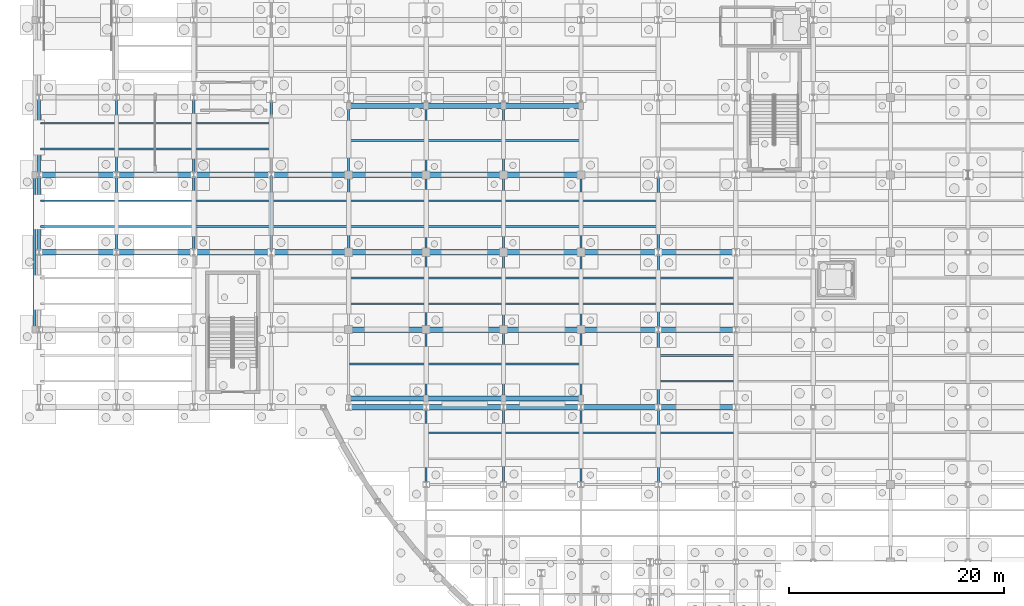
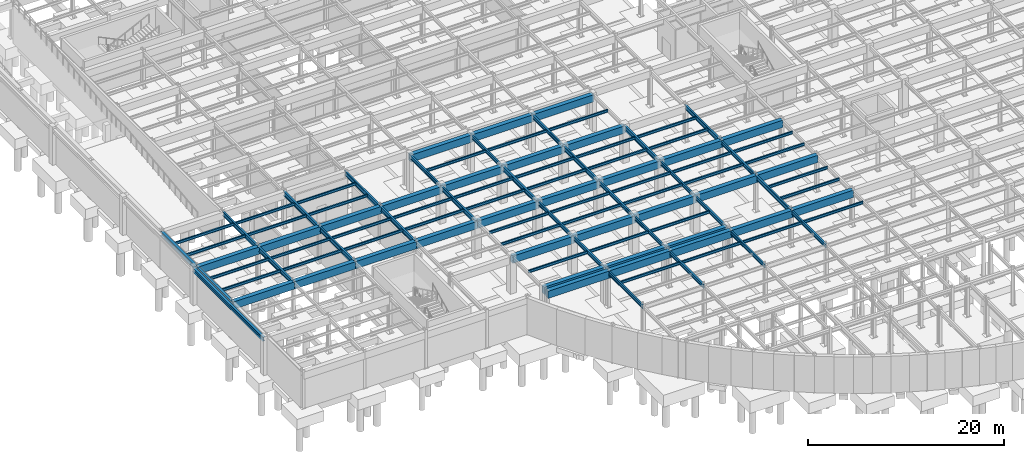
# One storey, part 33 of 64: 105 beams.
"""IFC4 building model written with IfcOpenShell, lengths in metres."""

from ifc_helpers import new_model, si_unit, direction, frame, origin, origin_2d, place, context, subcontext, project, spatial, rectangle, i_section, extrude, material, material_profile, profile_set, type_object, element, save


model = new_model("IFC4")

# Units and contexts
model_context = context("Model", 3, precision=1e-05, world=origin(), true_north=direction((0.0, 1.0)))
body_context = subcontext(model_context, "Body", "Model", "MODEL_VIEW")
ifc_project = project(units=[si_unit("LENGTHUNIT", "METRE"), si_unit("AREAUNIT", "SQUARE_METRE"), si_unit("VOLUMEUNIT", "CUBIC_METRE"), si_unit("PLANEANGLEUNIT", "RADIAN"), si_unit("MASSUNIT", "GRAM", prefix="KILO")], contexts=[model_context])

# Site, building, storey
site_placement = place(None, origin())
site = spatial("IfcSite", under=ifc_project, at=site_placement, CompositionType="ELEMENT")
building_placement = place(site_placement, origin())
building = spatial("IfcBuilding", under=site, at=building_placement, Name="Solvadek Multi-Sports Hall", CompositionType="ELEMENT")
storey_placement = place(building_placement, frame((0.0, 0.0, -4.800048828125)))
storey = spatial("IfcBuildingStorey", under=building, at=storey_placement, Name="B1", CompositionType="ELEMENT", Elevation=-4.800048828125)

# Beams
ifc_material_1 = material(Name="Steel E350 (350 MPa)", Category="steel")
ifc_material_profile_1 = material_profile(ifc_material_1, i_section(OverallWidth=0.18994140625, OverallDepth=0.449951171875, WebThickness=0.009521484375, FlangeThickness=0.0146484375, at=origin_2d()), Name="NPB 450")
ifc_profile_set_1 = profile_set([ifc_material_profile_1], Name="Steel E350 (350 MPa)")
beam_type_1 = type_object("IfcBeamType", Name="STR-BM-NPB450", PredefinedType="BEAM", material=ifc_profile_set_1)
beam_1_placement = place(storey_placement, frame((28.800048828125, 42.0, 4.324951171875), z_axis=(0.0, 1.0, 0.0), x_axis=(-1.0, 0.0, 0.0)))
element("IfcBeam", 1, at=beam_1_placement, inside=storey, type_object=beam_type_1, Name="B1 Girder B-08 #307", PredefinedType="BEAM", context=body_context, shape_type="SweptSolid", body=[
    extrude(i_section(OverallWidth=0.18994140625, OverallDepth=0.449951171875, WebThickness=0.009521484375, FlangeThickness=0.0146484375, at=origin_2d()), origin(), (0.0, 0.0, 1.0), 6.39990234375),
])
beam_2_placement = place(storey_placement, frame((36.0, 13.199951171875, 4.324951171875), z_axis=(0.0, 1.0, 0.0), x_axis=(-1.0, 0.0, 0.0)))
element("IfcBeam", 2, at=beam_2_placement, inside=storey, type_object=beam_type_1, Name="B1 Girder B-08 #317", PredefinedType="BEAM", context=body_context, shape_type="SweptSolid", body=[
    extrude(i_section(OverallWidth=0.18994140625, OverallDepth=0.449951171875, WebThickness=0.009521484375, FlangeThickness=0.0146484375, at=origin_2d()), origin(), (0.0, 0.0, 1.0), 7.199951171875),
])
beam_3_placement = place(storey_placement, frame((36.0, 21.199951171875, 4.324951171875), z_axis=(0.0, 1.0, 0.0), x_axis=(-1.0, 0.0, 0.0)))
element("IfcBeam", 3, at=beam_3_placement, inside=storey, type_object=beam_type_1, Name="B1 Girder B-08 #318", PredefinedType="BEAM", context=body_context, shape_type="SweptSolid", body=[
    extrude(i_section(OverallWidth=0.18994140625, OverallDepth=0.449951171875, WebThickness=0.009521484375, FlangeThickness=0.0146484375, at=origin_2d()), origin(), (0.0, 0.0, 1.0), 6.400146484375),
])
beam_4_placement = place(storey_placement, frame((36.0, 27.60009765625, 4.324951171875), z_axis=(0.0, 1.0, 0.0), x_axis=(-1.0, 0.0, 0.0)))
element("IfcBeam", 4, at=beam_4_placement, inside=storey, type_object=beam_type_1, Name="B1 Girder B-08 #319", PredefinedType="BEAM", context=body_context, shape_type="SweptSolid", body=[
    extrude(i_section(OverallWidth=0.18994140625, OverallDepth=0.449951171875, WebThickness=0.009521484375, FlangeThickness=0.0146484375, at=origin_2d()), origin(), (0.0, 0.0, 1.0), 7.199951171875),
])
beam_5_placement = place(storey_placement, frame((36.0, 42.0, 4.324951171875), z_axis=(0.0, 1.0, 0.0), x_axis=(-1.0, 0.0, 0.0)))
element("IfcBeam", 5, at=beam_5_placement, inside=storey, type_object=beam_type_1, Name="B1 Girder B-08 #321", PredefinedType="BEAM", context=body_context, shape_type="SweptSolid", body=[
    extrude(i_section(OverallWidth=0.18994140625, OverallDepth=0.449951171875, WebThickness=0.009521484375, FlangeThickness=0.0146484375, at=origin_2d()), origin(), (0.0, 0.0, 1.0), 6.39990234375),
])
beam_6_placement = place(storey_placement, frame((43.199951171875, 13.199951171875, 4.324951171875), z_axis=(0.0, 1.0, 0.0), x_axis=(-1.0, 0.0, 0.0)))
element("IfcBeam", 6, at=beam_6_placement, inside=storey, type_object=beam_type_1, Name="B1 Girder B-08 #333", PredefinedType="BEAM", context=body_context, shape_type="SweptSolid", body=[
    extrude(i_section(OverallWidth=0.18994140625, OverallDepth=0.449951171875, WebThickness=0.009521484375, FlangeThickness=0.0146484375, at=origin_2d()), origin(), (0.0, 0.0, 1.0), 7.199951171875),
])
beam_7_placement = place(storey_placement, frame((43.199951171875, 21.199951171875, 4.324951171875), z_axis=(0.0, 1.0, 0.0), x_axis=(-1.0, 0.0, 0.0)))
element("IfcBeam", 7, at=beam_7_placement, inside=storey, type_object=beam_type_1, Name="B1 Girder B-08 #334", PredefinedType="BEAM", context=body_context, shape_type="SweptSolid", body=[
    extrude(i_section(OverallWidth=0.18994140625, OverallDepth=0.449951171875, WebThickness=0.009521484375, FlangeThickness=0.0146484375, at=origin_2d()), origin(), (0.0, 0.0, 1.0), 6.400146484375),
])
beam_8_placement = place(storey_placement, frame((43.199951171875, 27.60009765625, 4.324951171875), z_axis=(0.0, 1.0, 0.0), x_axis=(-1.0, 0.0, 0.0)))
element("IfcBeam", 8, at=beam_8_placement, inside=storey, type_object=beam_type_1, Name="B1 Girder B-08 #335", PredefinedType="BEAM", context=body_context, shape_type="SweptSolid", body=[
    extrude(i_section(OverallWidth=0.18994140625, OverallDepth=0.449951171875, WebThickness=0.009521484375, FlangeThickness=0.0146484375, at=origin_2d()), origin(), (0.0, 0.0, 1.0), 7.199951171875),
])
beam_9_placement = place(storey_placement, frame((43.199951171875, 42.0, 4.324951171875), z_axis=(0.0, 1.0, 0.0), x_axis=(-1.0, 0.0, 0.0)))
element("IfcBeam", 9, at=beam_9_placement, inside=storey, type_object=beam_type_1, Name="B1 Girder B-08 #337", PredefinedType="BEAM", context=body_context, shape_type="SweptSolid", body=[
    extrude(i_section(OverallWidth=0.18994140625, OverallDepth=0.449951171875, WebThickness=0.009521484375, FlangeThickness=0.0146484375, at=origin_2d()), origin(), (0.0, 0.0, 1.0), 6.39990234375),
])
beam_10_placement = place(storey_placement, frame((50.39990234375, 13.199951171875, 4.324951171875), z_axis=(0.0, 1.0, 0.0), x_axis=(-1.0, 0.0, 0.0)))
element("IfcBeam", 10, at=beam_10_placement, inside=storey, type_object=beam_type_1, Name="B1 Girder B-08 #349", PredefinedType="BEAM", context=body_context, shape_type="SweptSolid", body=[
    extrude(i_section(OverallWidth=0.18994140625, OverallDepth=0.449951171875, WebThickness=0.009521484375, FlangeThickness=0.0146484375, at=origin_2d()), origin(), (0.0, 0.0, 1.0), 7.199951171875),
])
beam_11_placement = place(storey_placement, frame((50.39990234375, 21.199951171875, 4.324951171875), z_axis=(0.0, 1.0, 0.0), x_axis=(-1.0, 0.0, 0.0)))
element("IfcBeam", 11, at=beam_11_placement, inside=storey, type_object=beam_type_1, Name="B1 Girder B-08 #350", PredefinedType="BEAM", context=body_context, shape_type="SweptSolid", body=[
    extrude(i_section(OverallWidth=0.18994140625, OverallDepth=0.449951171875, WebThickness=0.009521484375, FlangeThickness=0.0146484375, at=origin_2d()), origin(), (0.0, 0.0, 1.0), 6.400146484375),
])
for number, where, z_axis, x_axis, name in (
    (12, (50.39990234375, 27.60009765625, 4.324951171875), (0.0, 1.0, 0.0), (-1.0, 0.0, 0.0), "B1 Girder B-08 #351"),
    (13, (57.60009765625, 13.199951171875, 4.324951171875), (0.0, 1.0, 0.0), (-1.0, 0.0, 0.0), "B1 Girder B-08 #368"),
    (14, (57.60009765625, 27.60009765625, 4.324951171875), (0.0, 1.0, 0.0), (-1.0, 0.0, 0.0), "B1 Girder B-08 #370"),
):
    element("IfcBeam", number, at=place(storey_placement, frame(where, z_axis=z_axis, x_axis=x_axis)), inside=storey, type_object=beam_type_1, Name=name, PredefinedType="BEAM", context=body_context, shape_type="SweptSolid", body=[
        extrude(i_section(OverallWidth=0.18994140625, OverallDepth=0.449951171875, WebThickness=0.009521484375, FlangeThickness=0.0146484375, at=origin_2d()), origin(), (0.0, 0.0, 1.0), 7.199951171875),
    ])
ifc_material_profile_2 = material_profile(ifc_material_1, i_section(OverallWidth=0.2099609375, OverallDepth=0.550048828125, WebThickness=0.010986328125, FlangeThickness=0.01708984375, at=origin_2d()), Name="NPB 550")
ifc_profile_set_2 = profile_set([ifc_material_profile_2], Name="Steel E350 (350 MPa)")
beam_type_2 = type_object("IfcBeamType", Name="STR-BM-NPB550", PredefinedType="BEAM", material=ifc_profile_set_2)
for number, where, z_axis, x_axis, name in (
    (15, (7.199951171875, 34.800048828125, 4.275146484375), (0.0, 1.0, 0.0), (-1.0, 0.0, 0.0), "B1 Girder B-05 #271"),
    (16, (7.199951171875, 42.0, 4.275146484375), (0.0, 1.0, 0.0), (-1.0, 0.0, 0.0), "B1 Girder B-05 #272"),
    (17, (14.39990234375, 34.800048828125, 4.275146484375), (0.0, 1.0, 0.0), (-1.0, 0.0, 0.0), "B1 Girder B-05 #283"),
    (18, (14.39990234375, 42.0, 4.275146484375), (0.0, 1.0, 0.0), (-1.0, 0.0, 0.0), "B1 Girder B-05 #284"),
    (19, (21.60009765625, 34.800048828125, 4.275146484375), (0.0, 1.0, 0.0), (-1.0, 0.0, 0.0), "B1 Girder B-05 #294"),
    (20, (21.60009765625, 42.0, 4.275146484375), (0.0, 1.0, 0.0), (-1.0, 0.0, 0.0), "B1 Girder B-05 #295"),
    (21, (28.800048828125, 34.800048828125, 4.275146484375), (0.0, 1.0, 0.0), (-1.0, 0.0, 0.0), "B1 Girder B-05 #306"),
    (22, (36.0, 34.800048828125, 4.275146484375), (0.0, 1.0, 0.0), (-1.0, 0.0, 0.0), "B1 Girder B-05 #320"),
    (23, (43.199951171875, 34.800048828125, 4.275146484375), (0.0, 1.0, 0.0), (-1.0, 0.0, 0.0), "B1 Girder B-05 #336"),
    (24, (50.39990234375, 34.800048828125, 4.275146484375), (0.0, 1.0, 0.0), (-1.0, 0.0, 0.0), "B1 Girder B-05 #352"),
):
    element("IfcBeam", number, at=place(storey_placement, frame(where, z_axis=z_axis, x_axis=x_axis)), inside=storey, type_object=beam_type_2, Name=name, PredefinedType="BEAM", context=body_context, shape_type="SweptSolid", body=[
        extrude(i_section(OverallWidth=0.2099609375, OverallDepth=0.550048828125, WebThickness=0.010986328125, FlangeThickness=0.01708984375, at=origin_2d()), origin(), (0.0, 0.0, 1.0), 7.199951171875),
    ])
beam_12_placement = place(storey_placement, frame((57.60009765625, 20.39990234375, 4.275146484375), z_axis=(0.0, 1.0, 0.0), x_axis=(-1.0, 0.0, 0.0)))
element("IfcBeam", 25, at=beam_12_placement, inside=storey, type_object=beam_type_2, Name="B1 Girder B-05 #369", PredefinedType="BEAM", context=body_context, shape_type="SweptSolid", body=[
    extrude(i_section(OverallWidth=0.2099609375, OverallDepth=0.550048828125, WebThickness=0.010986328125, FlangeThickness=0.01708984375, at=origin_2d()), origin(), (0.0, 0.0, 1.0), 7.2001953125),
])
beam_13_placement = place(storey_placement, frame((57.60009765625, 34.800048828125, 4.275146484375), z_axis=(0.0, 1.0, 0.0), x_axis=(-1.0, 0.0, 0.0)))
element("IfcBeam", 26, at=beam_13_placement, inside=storey, type_object=beam_type_2, Name="B1 Girder B-05 #371", PredefinedType="BEAM", context=body_context, shape_type="SweptSolid", body=[
    extrude(i_section(OverallWidth=0.2099609375, OverallDepth=0.550048828125, WebThickness=0.010986328125, FlangeThickness=0.01708984375, at=origin_2d()), origin(), (0.0, 0.0, 1.0), 7.199951171875),
])
ifc_material_profile_3 = material_profile(ifc_material_1, i_section(OverallWidth=0.159912109375, OverallDepth=0.330078125, WebThickness=0.007568359375, FlangeThickness=0.011474609375, at=origin_2d()), Name="NPB 330")
ifc_profile_set_3 = profile_set([ifc_material_profile_3], Name="Steel E350 (350 MPa)")
beam_type_3 = type_object("IfcBeamType", Name="STR-JST-NPB330", PredefinedType="JOIST", material=ifc_profile_set_3)
for number, where, z_axis, x_axis, name in (
    (27, (36.094970703125, 18.0, 4.385009765625), (1.0, 0.0, 0.0), (0.0, 1.0, 0.0), "B1 Composite Joist J-02 #34"),
    (28, (43.294921875, 18.0, 4.385009765625), (1.0, 0.0, 0.0), (0.0, 1.0, 0.0), "B1 Composite Joist J-02 #36"),
):
    element("IfcBeam", number, at=place(storey_placement, frame(where, z_axis=z_axis, x_axis=x_axis)), inside=storey, type_object=beam_type_3, Name=name, PredefinedType="JOIST", context=body_context, shape_type="SweptSolid", body=[
        extrude(i_section(OverallWidth=0.159912109375, OverallDepth=0.330078125, WebThickness=0.007568359375, FlangeThickness=0.011474609375, at=origin_2d()), origin(), (0.0, 0.0, 1.0), 7.010009765625),
    ])
beam_14_placement = place(storey_placement, frame((50.4951171875, 18.0, 4.385009765625), z_axis=(1.0, 0.0, 0.0), x_axis=(0.0, 1.0, 0.0)))
element("IfcBeam", 29, at=beam_14_placement, inside=storey, type_object=beam_type_3, Name="B1 Composite Joist J-02 #38", PredefinedType="JOIST", context=body_context, shape_type="SweptSolid", body=[
    extrude(i_section(OverallWidth=0.159912109375, OverallDepth=0.330078125, WebThickness=0.007568359375, FlangeThickness=0.011474609375, at=origin_2d()), origin(), (0.0, 0.0, 1.0), 7.009765625),
])
beam_15_placement = place(storey_placement, frame((57.695068359375, 18.0, 4.385009765625), z_axis=(1.0, 0.0, 0.0), x_axis=(0.0, 1.0, 0.0)))
element("IfcBeam", 30, at=beam_15_placement, inside=storey, type_object=beam_type_3, Name="B1 Composite Joist J-02 #40", PredefinedType="JOIST", context=body_context, shape_type="SweptSolid", body=[
    extrude(i_section(OverallWidth=0.159912109375, OverallDepth=0.330078125, WebThickness=0.007568359375, FlangeThickness=0.011474609375, at=origin_2d()), origin(), (0.0, 0.0, 1.0), 7.010009765625),
])
for number, where, z_axis, x_axis, name in (
    (31, (57.705078125, 22.800048828125, 4.385009765625), (1.0, 0.0, 0.0), (0.0, 1.0, 0.0), "B1 Composite Joist J-02 #65"),
    (32, (57.705078125, 25.199951171875, 4.385009765625), (1.0, 0.0, 0.0), (0.0, 1.0, 0.0), "B1 Composite Joist J-02 #66"),
):
    element("IfcBeam", number, at=place(storey_placement, frame(where, z_axis=z_axis, x_axis=x_axis)), inside=storey, type_object=beam_type_3, Name=name, PredefinedType="JOIST", context=body_context, shape_type="SweptSolid", body=[
        extrude(i_section(OverallWidth=0.159912109375, OverallDepth=0.330078125, WebThickness=0.007568359375, FlangeThickness=0.011474609375, at=origin_2d()), origin(), (0.0, 0.0, 1.0), 6.989990234375),
    ])
for number, where, z_axis, x_axis, name in (
    (33, (28.89501953125, 24.39990234375, 4.385009765625), (1.0, 0.0, 0.0), (0.0, 1.0, 0.0), "B1 Composite Joist J-02 #85"),
    (34, (36.094970703125, 24.39990234375, 4.385009765625), (1.0, 0.0, 0.0), (0.0, 1.0, 0.0), "B1 Composite Joist J-02 #86"),
    (35, (43.294921875, 24.39990234375, 4.385009765625), (1.0, 0.0, 0.0), (0.0, 1.0, 0.0), "B1 Composite Joist J-02 #87"),
    (36, (28.89501953125, 30.0, 4.385009765625), (1.0, 0.0, 0.0), (0.0, 1.0, 0.0), "B1 Composite Joist J-02 #94"),
    (37, (28.89501953125, 32.39990234375, 4.385009765625), (1.0, 0.0, 0.0), (0.0, 1.0, 0.0), "B1 Composite Joist J-02 #95"),
    (38, (36.094970703125, 30.0, 4.385009765625), (1.0, 0.0, 0.0), (0.0, 1.0, 0.0), "B1 Composite Joist J-02 #96"),
    (39, (36.094970703125, 32.39990234375, 4.385009765625), (1.0, 0.0, 0.0), (0.0, 1.0, 0.0), "B1 Composite Joist J-02 #97"),
    (40, (43.294921875, 30.0, 4.385009765625), (1.0, 0.0, 0.0), (0.0, 1.0, 0.0), "B1 Composite Joist J-02 #98"),
    (41, (43.294921875, 32.39990234375, 4.385009765625), (1.0, 0.0, 0.0), (0.0, 1.0, 0.0), "B1 Composite Joist J-02 #99"),
):
    element("IfcBeam", number, at=place(storey_placement, frame(where, z_axis=z_axis, x_axis=x_axis)), inside=storey, type_object=beam_type_3, Name=name, PredefinedType="JOIST", context=body_context, shape_type="SweptSolid", body=[
        extrude(i_section(OverallWidth=0.159912109375, OverallDepth=0.330078125, WebThickness=0.007568359375, FlangeThickness=0.011474609375, at=origin_2d()), origin(), (0.0, 0.0, 1.0), 7.010009765625),
    ])
for number, where, z_axis, x_axis, name in (
    (42, (50.4951171875, 30.0, 4.385009765625), (1.0, 0.0, 0.0), (0.0, 1.0, 0.0), "B1 Composite Joist J-02 #100"),
    (43, (50.4951171875, 32.39990234375, 4.385009765625), (1.0, 0.0, 0.0), (0.0, 1.0, 0.0), "B1 Composite Joist J-02 #101"),
):
    element("IfcBeam", number, at=place(storey_placement, frame(where, z_axis=z_axis, x_axis=x_axis)), inside=storey, type_object=beam_type_3, Name=name, PredefinedType="JOIST", context=body_context, shape_type="SweptSolid", body=[
        extrude(i_section(OverallWidth=0.159912109375, OverallDepth=0.330078125, WebThickness=0.007568359375, FlangeThickness=0.011474609375, at=origin_2d()), origin(), (0.0, 0.0, 1.0), 7.009765625),
    ])
for number, where, z_axis, x_axis, name in (
    (44, (57.695068359375, 30.0, 4.385009765625), (1.0, 0.0, 0.0), (0.0, 1.0, 0.0), "B1 Composite Joist J-02 #102"),
    (45, (57.695068359375, 32.39990234375, 4.385009765625), (1.0, 0.0, 0.0), (0.0, 1.0, 0.0), "B1 Composite Joist J-02 #103"),
):
    element("IfcBeam", number, at=place(storey_placement, frame(where, z_axis=z_axis, x_axis=x_axis)), inside=storey, type_object=beam_type_3, Name=name, PredefinedType="JOIST", context=body_context, shape_type="SweptSolid", body=[
        extrude(i_section(OverallWidth=0.159912109375, OverallDepth=0.330078125, WebThickness=0.007568359375, FlangeThickness=0.011474609375, at=origin_2d()), origin(), (0.0, 0.0, 1.0), 7.010009765625),
    ])
for number, where, z_axis, x_axis, name in (
    (46, (0.14990234375, 37.199951171875, 4.385009765625), (1.0, 0.0, 0.0), (0.0, 1.0, 0.0), "B1 Composite Joist J-02 #121"),
    (47, (0.14990234375, 39.60009765625, 4.385009765625), (1.0, 0.0, 0.0), (0.0, 1.0, 0.0), "B1 Composite Joist J-02 #122"),
):
    element("IfcBeam", number, at=place(storey_placement, frame(where, z_axis=z_axis, x_axis=x_axis)), inside=storey, type_object=beam_type_3, Name=name, PredefinedType="JOIST", context=body_context, shape_type="SweptSolid", body=[
        extrude(i_section(OverallWidth=0.159912109375, OverallDepth=0.330078125, WebThickness=0.007568359375, FlangeThickness=0.011474609375, at=origin_2d()), origin(), (0.0, 0.0, 1.0), 6.945068359375),
    ])
for number, where, z_axis, x_axis, name in (
    (48, (7.304931640625, 37.199951171875, 4.385009765625), (1.0, 0.0, 0.0), (0.0, 1.0, 0.0), "B1 Composite Joist J-02 #123"),
    (49, (7.304931640625, 39.60009765625, 4.385009765625), (1.0, 0.0, 0.0), (0.0, 1.0, 0.0), "B1 Composite Joist J-02 #124"),
):
    element("IfcBeam", number, at=place(storey_placement, frame(where, z_axis=z_axis, x_axis=x_axis)), inside=storey, type_object=beam_type_3, Name=name, PredefinedType="JOIST", context=body_context, shape_type="SweptSolid", body=[
        extrude(i_section(OverallWidth=0.159912109375, OverallDepth=0.330078125, WebThickness=0.007568359375, FlangeThickness=0.011474609375, at=origin_2d()), origin(), (0.0, 0.0, 1.0), 6.989990234375),
    ])
for number, where, z_axis, x_axis, name in (
    (50, (14.5048828125, 37.199951171875, 4.385009765625), (1.0, 0.0, 0.0), (0.0, 1.0, 0.0), "B1 Composite Joist J-02 #125"),
    (51, (14.5048828125, 39.60009765625, 4.385009765625), (1.0, 0.0, 0.0), (0.0, 1.0, 0.0), "B1 Composite Joist J-02 #126"),
):
    element("IfcBeam", number, at=place(storey_placement, frame(where, z_axis=z_axis, x_axis=x_axis)), inside=storey, type_object=beam_type_3, Name=name, PredefinedType="JOIST", context=body_context, shape_type="SweptSolid", body=[
        extrude(i_section(OverallWidth=0.159912109375, OverallDepth=0.330078125, WebThickness=0.007568359375, FlangeThickness=0.011474609375, at=origin_2d()), origin(), (0.0, 0.0, 1.0), 6.990234375),
    ])
for number, where, z_axis, x_axis, name in (
    (52, (21.705078125, 37.199951171875, 4.385009765625), (1.0, 0.0, 0.0), (0.0, 1.0, 0.0), "B1 Composite Joist J-02 #127"),
    (53, (21.705078125, 39.60009765625, 4.385009765625), (1.0, 0.0, 0.0), (0.0, 1.0, 0.0), "B1 Composite Joist J-02 #128"),
    (54, (28.905029296875, 37.199951171875, 4.385009765625), (1.0, 0.0, 0.0), (0.0, 1.0, 0.0), "B1 Composite Joist J-02 #129"),
    (55, (28.905029296875, 39.60009765625, 4.385009765625), (1.0, 0.0, 0.0), (0.0, 1.0, 0.0), "B1 Composite Joist J-02 #130"),
    (56, (36.10498046875, 37.199951171875, 4.385009765625), (1.0, 0.0, 0.0), (0.0, 1.0, 0.0), "B1 Composite Joist J-02 #131"),
    (57, (36.10498046875, 39.60009765625, 4.385009765625), (1.0, 0.0, 0.0), (0.0, 1.0, 0.0), "B1 Composite Joist J-02 #132"),
    (58, (43.304931640625, 37.199951171875, 4.385009765625), (1.0, 0.0, 0.0), (0.0, 1.0, 0.0), "B1 Composite Joist J-02 #133"),
    (59, (43.304931640625, 39.60009765625, 4.385009765625), (1.0, 0.0, 0.0), (0.0, 1.0, 0.0), "B1 Composite Joist J-02 #134"),
):
    element("IfcBeam", number, at=place(storey_placement, frame(where, z_axis=z_axis, x_axis=x_axis)), inside=storey, type_object=beam_type_3, Name=name, PredefinedType="JOIST", context=body_context, shape_type="SweptSolid", body=[
        extrude(i_section(OverallWidth=0.159912109375, OverallDepth=0.330078125, WebThickness=0.007568359375, FlangeThickness=0.011474609375, at=origin_2d()), origin(), (0.0, 0.0, 1.0), 6.989990234375),
    ])
for number, where, z_axis, x_axis, name in (
    (60, (50.5048828125, 37.199951171875, 4.385009765625), (1.0, 0.0, 0.0), (0.0, 1.0, 0.0), "B1 Composite Joist J-02 #135"),
    (61, (50.5048828125, 39.60009765625, 4.385009765625), (1.0, 0.0, 0.0), (0.0, 1.0, 0.0), "B1 Composite Joist J-02 #136"),
):
    element("IfcBeam", number, at=place(storey_placement, frame(where, z_axis=z_axis, x_axis=x_axis)), inside=storey, type_object=beam_type_3, Name=name, PredefinedType="JOIST", context=body_context, shape_type="SweptSolid", body=[
        extrude(i_section(OverallWidth=0.159912109375, OverallDepth=0.330078125, WebThickness=0.007568359375, FlangeThickness=0.011474609375, at=origin_2d()), origin(), (0.0, 0.0, 1.0), 6.990234375),
    ])
for number, where, z_axis, x_axis, name in (
    (62, (0.14990234375, 44.39990234375, 4.385009765625), (1.0, 0.0, 0.0), (0.0, 1.0, 0.0), "B1 Composite Joist J-02 #158"),
    (63, (0.14990234375, 46.800048828125, 4.385009765625), (1.0, 0.0, 0.0), (0.0, 1.0, 0.0), "B1 Composite Joist J-02 #159"),
):
    element("IfcBeam", number, at=place(storey_placement, frame(where, z_axis=z_axis, x_axis=x_axis)), inside=storey, type_object=beam_type_3, Name=name, PredefinedType="JOIST", context=body_context, shape_type="SweptSolid", body=[
        extrude(i_section(OverallWidth=0.159912109375, OverallDepth=0.330078125, WebThickness=0.007568359375, FlangeThickness=0.011474609375, at=origin_2d()), origin(), (0.0, 0.0, 1.0), 6.945068359375),
    ])
for number, where, z_axis, x_axis, name in (
    (64, (7.304931640625, 44.39990234375, 4.385009765625), (1.0, 0.0, 0.0), (0.0, 1.0, 0.0), "B1 Composite Joist J-02 #160"),
    (65, (7.304931640625, 46.800048828125, 4.385009765625), (1.0, 0.0, 0.0), (0.0, 1.0, 0.0), "B1 Composite Joist J-02 #161"),
):
    element("IfcBeam", number, at=place(storey_placement, frame(where, z_axis=z_axis, x_axis=x_axis)), inside=storey, type_object=beam_type_3, Name=name, PredefinedType="JOIST", context=body_context, shape_type="SweptSolid", body=[
        extrude(i_section(OverallWidth=0.159912109375, OverallDepth=0.330078125, WebThickness=0.007568359375, FlangeThickness=0.011474609375, at=origin_2d()), origin(), (0.0, 0.0, 1.0), 6.989990234375),
    ])
for number, where, z_axis, x_axis, name in (
    (66, (14.5048828125, 44.39990234375, 4.385009765625), (1.0, 0.0, 0.0), (0.0, 1.0, 0.0), "B1 Composite Joist J-02 #162"),
    (67, (14.5048828125, 46.800048828125, 4.385009765625), (1.0, 0.0, 0.0), (0.0, 1.0, 0.0), "B1 Composite Joist J-02 #163"),
):
    element("IfcBeam", number, at=place(storey_placement, frame(where, z_axis=z_axis, x_axis=x_axis)), inside=storey, type_object=beam_type_3, Name=name, PredefinedType="JOIST", context=body_context, shape_type="SweptSolid", body=[
        extrude(i_section(OverallWidth=0.159912109375, OverallDepth=0.330078125, WebThickness=0.007568359375, FlangeThickness=0.011474609375, at=origin_2d()), origin(), (0.0, 0.0, 1.0), 6.990234375),
    ])
for number, where, z_axis, x_axis, name in (
    (68, (28.89501953125, 45.199951171875, 4.385009765625), (1.0, 0.0, 0.0), (0.0, 1.0, 0.0), "B1 Composite Joist J-02 #164"),
    (69, (36.094970703125, 45.199951171875, 4.385009765625), (1.0, 0.0, 0.0), (0.0, 1.0, 0.0), "B1 Composite Joist J-02 #165"),
    (70, (43.294921875, 45.199951171875, 4.385009765625), (1.0, 0.0, 0.0), (0.0, 1.0, 0.0), "B1 Composite Joist J-02 #166"),
):
    element("IfcBeam", number, at=place(storey_placement, frame(where, z_axis=z_axis, x_axis=x_axis)), inside=storey, type_object=beam_type_3, Name=name, PredefinedType="JOIST", context=body_context, shape_type="SweptSolid", body=[
        extrude(i_section(OverallWidth=0.159912109375, OverallDepth=0.330078125, WebThickness=0.007568359375, FlangeThickness=0.011474609375, at=origin_2d()), origin(), (0.0, 0.0, 1.0), 7.010009765625),
    ])
ifc_material_profile_4 = material_profile(ifc_material_1, i_section(OverallWidth=0.300048828125, OverallDepth=0.5, WebThickness=0.014404296875, FlangeThickness=0.028076171875, at=origin_2d()), Name="WPB 500")
ifc_profile_set_4 = profile_set([ifc_material_profile_4], Name="Steel E350 (350 MPa)")
beam_type_4 = type_object("IfcBeamType", Name="STR-SPN-WPB500", PredefinedType="SPANDREL", material=ifc_profile_set_4)
beam_16_placement = place(storey_placement, frame((-0.419921875, 27.60009765625, 4.300048828125), z_axis=(0.0, 1.0, 0.0), x_axis=(-1.0, 0.0, 0.0)))
element("IfcBeam", 71, at=beam_16_placement, inside=storey, type_object=beam_type_4, Name="B1 Girder SP-01 #253", PredefinedType="SPANDREL", context=body_context, shape_type="SweptSolid", body=[
    extrude(i_section(OverallWidth=0.300048828125, OverallDepth=0.5, WebThickness=0.014404296875, FlangeThickness=0.028076171875, at=origin_2d()), origin(), (0.0, 0.0, 1.0), 14.39990234375),
])
for number, where, z_axis, x_axis, name in (
    (72, (0.0, 34.800048828125, 4.300048828125), (0.0, 1.0, 0.0), (-1.0, 0.0, 0.0), "B1 Girder SP-01 #259"),
    (73, (0.0, 42.0, 4.300048828125), (0.0, 1.0, 0.0), (-1.0, 0.0, 0.0), "B1 Girder SP-01 #260"),
):
    element("IfcBeam", number, at=place(storey_placement, frame(where, z_axis=z_axis, x_axis=x_axis)), inside=storey, type_object=beam_type_4, Name=name, PredefinedType="SPANDREL", context=body_context, shape_type="SweptSolid", body=[
        extrude(i_section(OverallWidth=0.300048828125, OverallDepth=0.5, WebThickness=0.014404296875, FlangeThickness=0.028076171875, at=origin_2d()), origin(), (0.0, 0.0, 1.0), 7.199951171875),
    ])
ifc_material_2 = material(Name="Concrete M35", Category="concrete")
ifc_material_profile_5 = material_profile(ifc_material_2, rectangle(XDim=0.5, YDim=0.89990234375, at=origin_2d()), Name="RC T-BEAM 500x900")
ifc_profile_set_5 = profile_set([ifc_material_profile_5], Name="Concrete M35")
beam_type_5 = type_object("IfcBeamType", Name="STR-TBM-500X900", PredefinedType="T_BEAM", material=ifc_profile_set_5)
for number, where, z_axis, x_axis, name in (
    (74, (28.800048828125, 20.39990234375, 4.10009765625), (1.0, 0.0, 0.0), (0.0, 1.0, 0.0), "B1 Girder TB-02 #42"),
    (75, (36.0, 20.39990234375, 4.10009765625), (1.0, 0.0, 0.0), (0.0, 1.0, 0.0), "B1 Girder TB-02 #43"),
    (76, (43.199951171875, 20.39990234375, 4.10009765625), (1.0, 0.0, 0.0), (0.0, 1.0, 0.0), "B1 Girder TB-02 #44"),
):
    element("IfcBeam", number, at=place(storey_placement, frame(where, z_axis=z_axis, x_axis=x_axis)), inside=storey, type_object=beam_type_5, Name=name, PredefinedType="T_BEAM", context=body_context, shape_type="SweptSolid", body=[
        extrude(rectangle(XDim=0.5, YDim=0.89990234375, at=origin_2d()), origin(), (0.0, 0.0, 1.0), 7.199951171875),
    ])
beam_17_placement = place(storey_placement, frame((50.39990234375, 20.39990234375, 4.10009765625), z_axis=(1.0, 0.0, 0.0), x_axis=(0.0, 1.0, 0.0)))
element("IfcBeam", 77, at=beam_17_placement, inside=storey, type_object=beam_type_5, Name="B1 Girder TB-02 #45", PredefinedType="T_BEAM", context=body_context, shape_type="SweptSolid", body=[
    extrude(rectangle(XDim=0.5, YDim=0.89990234375, at=origin_2d()), origin(), (0.0, 0.0, 1.0), 7.2001953125),
])
for number, where, z_axis, x_axis, name in (
    (78, (57.60009765625, 20.39990234375, 4.10009765625), (1.0, 0.0, 0.0), (0.0, 1.0, 0.0), "B1 Girder TB-02 #46"),
    (79, (28.800048828125, 21.199951171875, 4.10009765625), (1.0, 0.0, 0.0), (0.0, 1.0, 0.0), "B1 Girder TB-02 #57"),
    (80, (36.0, 21.199951171875, 4.10009765625), (1.0, 0.0, 0.0), (0.0, 1.0, 0.0), "B1 Girder TB-02 #58"),
    (81, (43.199951171875, 21.199951171875, 4.10009765625), (1.0, 0.0, 0.0), (0.0, 1.0, 0.0), "B1 Girder TB-02 #59"),
    (82, (28.800048828125, 27.60009765625, 4.10009765625), (1.0, 0.0, 0.0), (0.0, 1.0, 0.0), "B1 Girder TB-02 #63"),
    (83, (36.0, 27.60009765625, 4.10009765625), (1.0, 0.0, 0.0), (0.0, 1.0, 0.0), "B1 Girder TB-02 #64"),
    (84, (43.199951171875, 27.60009765625, 4.10009765625), (1.0, 0.0, 0.0), (0.0, 1.0, 0.0), "B1 Girder TB-02 #65"),
):
    element("IfcBeam", number, at=place(storey_placement, frame(where, z_axis=z_axis, x_axis=x_axis)), inside=storey, type_object=beam_type_5, Name=name, PredefinedType="T_BEAM", context=body_context, shape_type="SweptSolid", body=[
        extrude(rectangle(XDim=0.5, YDim=0.89990234375, at=origin_2d()), origin(), (0.0, 0.0, 1.0), 7.199951171875),
    ])
beam_18_placement = place(storey_placement, frame((50.39990234375, 27.60009765625, 4.10009765625), z_axis=(1.0, 0.0, 0.0), x_axis=(0.0, 1.0, 0.0)))
element("IfcBeam", 85, at=beam_18_placement, inside=storey, type_object=beam_type_5, Name="B1 Girder TB-02 #66", PredefinedType="T_BEAM", context=body_context, shape_type="SweptSolid", body=[
    extrude(rectangle(XDim=0.5, YDim=0.89990234375, at=origin_2d()), origin(), (0.0, 0.0, 1.0), 7.2001953125),
])
for number, where, z_axis, x_axis, name in (
    (86, (57.60009765625, 27.60009765625, 4.10009765625), (1.0, 0.0, 0.0), (0.0, 1.0, 0.0), "B1 Girder TB-02 #67"),
    (87, (0.0, 34.800048828125, 4.10009765625), (1.0, 0.0, 0.0), (0.0, 1.0, 0.0), "B1 Girder TB-02 #77"),
    (88, (7.199951171875, 34.800048828125, 4.10009765625), (1.0, 0.0, 0.0), (0.0, 1.0, 0.0), "B1 Girder TB-02 #78"),
):
    element("IfcBeam", number, at=place(storey_placement, frame(where, z_axis=z_axis, x_axis=x_axis)), inside=storey, type_object=beam_type_5, Name=name, PredefinedType="T_BEAM", context=body_context, shape_type="SweptSolid", body=[
        extrude(rectangle(XDim=0.5, YDim=0.89990234375, at=origin_2d()), origin(), (0.0, 0.0, 1.0), 7.199951171875),
    ])
beam_19_placement = place(storey_placement, frame((14.39990234375, 34.800048828125, 4.10009765625), z_axis=(1.0, 0.0, 0.0), x_axis=(0.0, 1.0, 0.0)))
element("IfcBeam", 89, at=beam_19_placement, inside=storey, type_object=beam_type_5, Name="B1 Girder TB-02 #79", PredefinedType="T_BEAM", context=body_context, shape_type="SweptSolid", body=[
    extrude(rectangle(XDim=0.5, YDim=0.89990234375, at=origin_2d()), origin(), (0.0, 0.0, 1.0), 7.2001953125),
])
for number, where, z_axis, x_axis, name in (
    (90, (21.60009765625, 34.800048828125, 4.10009765625), (1.0, 0.0, 0.0), (0.0, 1.0, 0.0), "B1 Girder TB-02 #80"),
    (91, (28.800048828125, 34.800048828125, 4.10009765625), (1.0, 0.0, 0.0), (0.0, 1.0, 0.0), "B1 Girder TB-02 #81"),
    (92, (36.0, 34.800048828125, 4.10009765625), (1.0, 0.0, 0.0), (0.0, 1.0, 0.0), "B1 Girder TB-02 #82"),
    (93, (43.199951171875, 34.800048828125, 4.10009765625), (1.0, 0.0, 0.0), (0.0, 1.0, 0.0), "B1 Girder TB-02 #83"),
):
    element("IfcBeam", number, at=place(storey_placement, frame(where, z_axis=z_axis, x_axis=x_axis)), inside=storey, type_object=beam_type_5, Name=name, PredefinedType="T_BEAM", context=body_context, shape_type="SweptSolid", body=[
        extrude(rectangle(XDim=0.5, YDim=0.89990234375, at=origin_2d()), origin(), (0.0, 0.0, 1.0), 7.199951171875),
    ])
beam_20_placement = place(storey_placement, frame((50.39990234375, 34.800048828125, 4.10009765625), z_axis=(1.0, 0.0, 0.0), x_axis=(0.0, 1.0, 0.0)))
element("IfcBeam", 94, at=beam_20_placement, inside=storey, type_object=beam_type_5, Name="B1 Girder TB-02 #84", PredefinedType="T_BEAM", context=body_context, shape_type="SweptSolid", body=[
    extrude(rectangle(XDim=0.5, YDim=0.89990234375, at=origin_2d()), origin(), (0.0, 0.0, 1.0), 7.2001953125),
])
for number, where, z_axis, x_axis, name in (
    (95, (57.60009765625, 34.800048828125, 4.10009765625), (1.0, 0.0, 0.0), (0.0, 1.0, 0.0), "B1 Girder TB-02 #85"),
    (96, (0.0, 42.0, 4.10009765625), (1.0, 0.0, 0.0), (0.0, 1.0, 0.0), "B1 Girder TB-02 #96"),
    (97, (7.199951171875, 42.0, 4.10009765625), (1.0, 0.0, 0.0), (0.0, 1.0, 0.0), "B1 Girder TB-02 #97"),
):
    element("IfcBeam", number, at=place(storey_placement, frame(where, z_axis=z_axis, x_axis=x_axis)), inside=storey, type_object=beam_type_5, Name=name, PredefinedType="T_BEAM", context=body_context, shape_type="SweptSolid", body=[
        extrude(rectangle(XDim=0.5, YDim=0.89990234375, at=origin_2d()), origin(), (0.0, 0.0, 1.0), 7.199951171875),
    ])
beam_21_placement = place(storey_placement, frame((14.39990234375, 42.0, 4.10009765625), z_axis=(1.0, 0.0, 0.0), x_axis=(0.0, 1.0, 0.0)))
element("IfcBeam", 98, at=beam_21_placement, inside=storey, type_object=beam_type_5, Name="B1 Girder TB-02 #98", PredefinedType="T_BEAM", context=body_context, shape_type="SweptSolid", body=[
    extrude(rectangle(XDim=0.5, YDim=0.89990234375, at=origin_2d()), origin(), (0.0, 0.0, 1.0), 7.2001953125),
])
for number, where, z_axis, x_axis, name in (
    (99, (21.60009765625, 42.0, 4.10009765625), (1.0, 0.0, 0.0), (0.0, 1.0, 0.0), "B1 Girder TB-02 #99"),
    (100, (28.800048828125, 42.0, 4.10009765625), (1.0, 0.0, 0.0), (0.0, 1.0, 0.0), "B1 Girder TB-02 #100"),
    (101, (36.0, 42.0, 4.10009765625), (1.0, 0.0, 0.0), (0.0, 1.0, 0.0), "B1 Girder TB-02 #101"),
    (102, (43.199951171875, 42.0, 4.10009765625), (1.0, 0.0, 0.0), (0.0, 1.0, 0.0), "B1 Girder TB-02 #102"),
    (103, (28.800048828125, 48.39990234375, 4.10009765625), (1.0, 0.0, 0.0), (0.0, 1.0, 0.0), "B1 Girder TB-02 #119"),
    (104, (36.0, 48.39990234375, 4.10009765625), (1.0, 0.0, 0.0), (0.0, 1.0, 0.0), "B1 Girder TB-02 #120"),
    (105, (43.199951171875, 48.39990234375, 4.10009765625), (1.0, 0.0, 0.0), (0.0, 1.0, 0.0), "B1 Girder TB-02 #121"),
):
    element("IfcBeam", number, at=place(storey_placement, frame(where, z_axis=z_axis, x_axis=x_axis)), inside=storey, type_object=beam_type_5, Name=name, PredefinedType="T_BEAM", context=body_context, shape_type="SweptSolid", body=[
        extrude(rectangle(XDim=0.5, YDim=0.89990234375, at=origin_2d()), origin(), (0.0, 0.0, 1.0), 7.199951171875),
    ])

save(model, "model.ifc")
